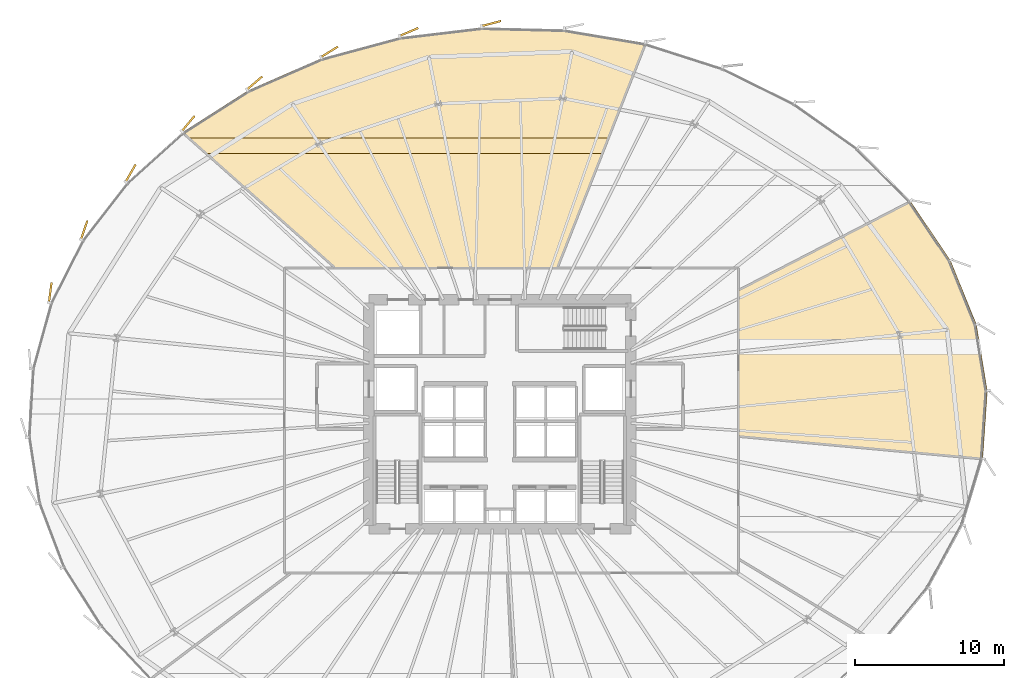
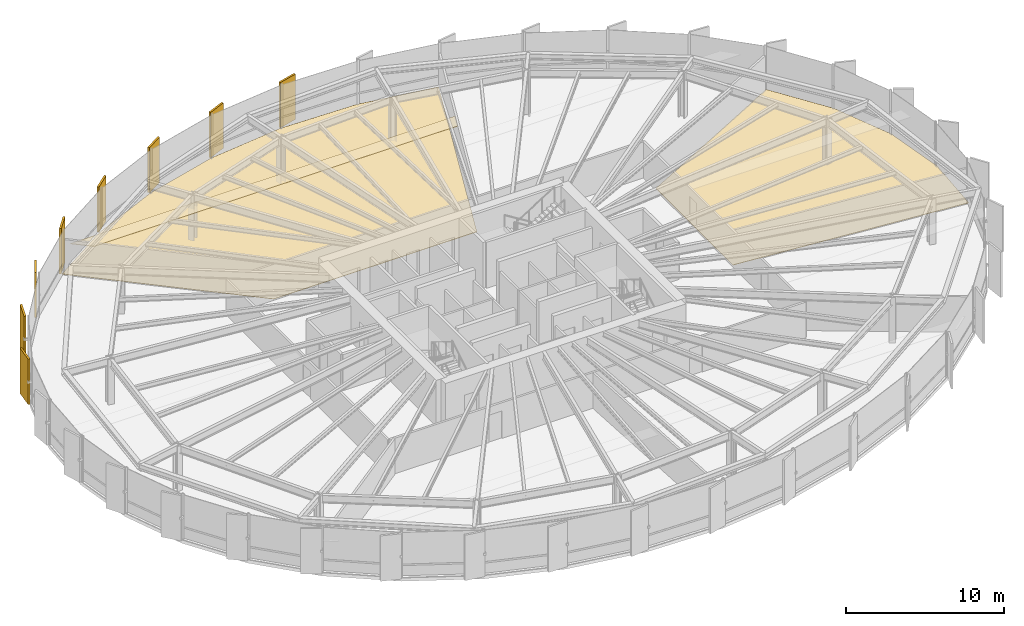
# One storey, part 37 of 39: 11 coverings.
"""IFC4 building model written with IfcOpenShell, lengths in metres."""

from ifc_helpers import new_model, si_unit, direction, frame, origin, origin_2d, place, context, subcontext, project, spatial, polyline, rectangle, outline, extrude, source, transform, mapped, material, layer, layer_set, type_object, element, save


model = new_model("IFC4")

# Units and contexts
model_context = context("Model", 3, precision=1e-05, world=origin(), true_north=direction((0.0, 1.0)))
body_context = subcontext(model_context, "Body", "Model", "MODEL_VIEW")
ifc_project = project(units=[si_unit("LENGTHUNIT", "METRE"), si_unit("AREAUNIT", "SQUARE_METRE"), si_unit("VOLUMEUNIT", "CUBIC_METRE"), si_unit("PLANEANGLEUNIT", "RADIAN"), si_unit("MASSUNIT", "GRAM", prefix="KILO"), si_unit("THERMODYNAMICTEMPERATUREUNIT", "KELVIN")], contexts=[model_context])

# Site, building, storey
site_placement = place(None, origin())
site = spatial("IfcSite", under=ifc_project, at=site_placement, CompositionType="ELEMENT")
building_placement = place(site_placement, origin())
building = spatial("IfcBuilding", under=site, at=building_placement, Name="Kethvar Cultural Tower", CompositionType="ELEMENT")
storey_placement = place(building_placement, frame((0.0, 0.0, 41.0)))
storey = spatial("IfcBuildingStorey", under=building, at=storey_placement, Name="L09", CompositionType="ELEMENT", Elevation=41.0)

# Coverings
ifc_material_1 = material(Name="Acoustic Mineral Fibre Ceiling")
ifc_layer_1 = layer(ifc_material_1, 0.0400390625, Name="Acoustic Mineral Fibre Ceiling")
ifc_layer_set_1 = layer_set([ifc_layer_1], Name="Acoustic Mineral Fibre Ceiling (40 mm)")
covering_type_1 = type_object("IfcCoveringType", Name="CV-ACOUSTIC-CEIL", PredefinedType="CEILING", material=ifc_layer_set_1)
covering_1_placement = place(storey_placement, frame((0.0, 0.0, 2.449951171875)))
element("IfcCovering", 1, at=covering_1_placement, inside=storey, type_object=covering_type_1, Name="L09 Room 06 Acoustic Ceiling Panel", PredefinedType="CEILING", context=body_context, shape_type="SweptSolid", body=[
    extrude(outline(polyline([(53.68408203125, 45.328369140625), (27.0498046875, 45.328369140625), (25.89111328125, 46.3583984375), (54.08740234375, 46.3583984375), (53.68408203125, 45.328369140625)])), origin(), (0.0, 0.0, 1.0), 0.0400390625),
])
ifc_material_2 = material(Name="Honed Warm Limestone", Category="masonry")
ifc_layer_2 = layer(ifc_material_2, 0.030029296875, Name="Honed Warm Limestone", Category="masonry")
ifc_layer_set_2 = layer_set([ifc_layer_2], Name="Honed Warm Limestone (30 mm)")
covering_type_2 = type_object("IfcCoveringType", Name="CV-STONE-FLOOR", PredefinedType="FLOORING", material=ifc_layer_set_2)
covering_2_placement = place(storey_placement, origin())
element("IfcCovering", 2, at=covering_2_placement, inside=storey, type_object=covering_type_2, Name="L09 Room 04 Floor Finish", PredefinedType="FLOORING", context=body_context, shape_type="SweptSolid", body=[
    extrude(outline(polyline([(77.05810546875, 38.12890625), (78.80517578125, 33.828857421875), (79.538330078125, 29.343994140625), (79.231689453125, 24.828125), (62.85009765625, 26.33935546875), (62.85009765625, 36.114990234375), (74.373779296875, 42.10107421875), (77.05810546875, 38.12890625)])), origin(), (0.0, 0.0, 1.0), 0.030029296875),
])
covering_3_placement = place(storey_placement, origin())
element("IfcCovering", 3, at=covering_3_placement, inside=storey, type_object=covering_type_2, Name="L09 Room 06 Floor Finish", PredefinedType="FLOORING", context=body_context, shape_type="SweptSolid", body=[
    extrude(outline(polyline([(25.511474609375, 46.749267578125), (29.892822265625, 49.546630859375), (34.809326171875, 51.69677734375), (40.090087890625, 53.12060546875), (45.574951171875, 53.77490234375), (51.1103515625, 53.64013671875), (56.53759765625, 52.726318359375), (50.631103515625, 37.639892578125), (35.759765625, 37.639892578125), (25.511474609375, 46.749267578125)])), origin(), (0.0, 0.0, 1.0), 0.030029296875),
])
ifc_material_3 = material(Name="Extruded Architectural Terracotta", Category="masonry")
ifc_layer_3 = layer(ifc_material_3, 0.135009765625, Name="Extruded Architectural Terracotta", Category="masonry")
ifc_layer_set_3 = layer_set([ifc_layer_3], Name="Extruded Architectural Terracotta (135 mm)")
covering_type_3 = type_object("IfcCoveringType", Name="Terracotta Facade Fin FIN-01", PredefinedType="CLADDING", material=ifc_layer_set_3)
shared_shape = source(origin(), body_context, "Body", "SweptSolid", [
    extrude(rectangle(XDim=1.35009765625, YDim=0.135009765625, at=origin_2d()), origin(), (0.0, 0.0, 1.0), 3.510009765625),
])
for number, where, z_axis, x_axis, name in (
    (4, (46.21728515625, 54.046630859375, 0.02001953125), (0.0, 0.0, 1.0), (0.966778790184, 0.255614496558, 0.0), "L09 Vertical Terracotta Fin 2.4"),
    (5, (40.6865234375, 53.482177734375, 0.02001953125), (0.0, 0.0, 1.0), (0.919889959056, 0.392176571492, 0.0), "L09 Vertical Terracotta Fin 2.5"),
    (6, (35.345458984375, 52.142822265625, 0.02001953125), (0.0, 0.0, 1.0), (0.851543976671, 0.524283182828, 0.0), "L09 Vertical Terracotta Fin 2.6"),
    (7, (30.317626953125, 50.048095703125, 0.02001953125), (0.0, 0.0, 1.0), (0.759725448379, 0.65024398735, 0.0), "L09 Vertical Terracotta Fin 3.1"),
    (8, (25.8583984375, 47.32861328125, 0.02001953125), (0.0, 0.0, 1.0), (0.642252653177, 0.766493006809, 0.0), "L09 Vertical Terracotta Fin 3.2"),
    (9, (21.9931640625, 43.998291015625, 0.02001953125), (0.0, 0.0, 1.0), (0.496973961028, 0.867765453369, 0.0), "L09 Vertical Terracotta Fin 3.3"),
    (10, (18.873291015625, 40.177001953125, 0.02001953125), (0.0, 0.0, 1.0), (0.324412742909, 0.945915626384, 0.0), "L09 Vertical Terracotta Fin 3.4"),
    (11, (16.59326171875, 35.97607421875, 0.02001953125), (0.0, 0.0, 1.0), (0.128795596578, 0.991671162383, 0.0), "L09 Vertical Terracotta Fin 3.5"),
):
    element("IfcCovering", number, at=place(storey_placement, frame(where, z_axis=z_axis, x_axis=x_axis)), inside=storey, type_object=covering_type_3, Name=name, PredefinedType="CLADDING", context=body_context, shape_type="MappedRepresentation", body=[
        mapped(shared_shape, transform((0.0, 0.0, 0.0), scale=1.0)),
    ])

save(model, "model.ifc")
